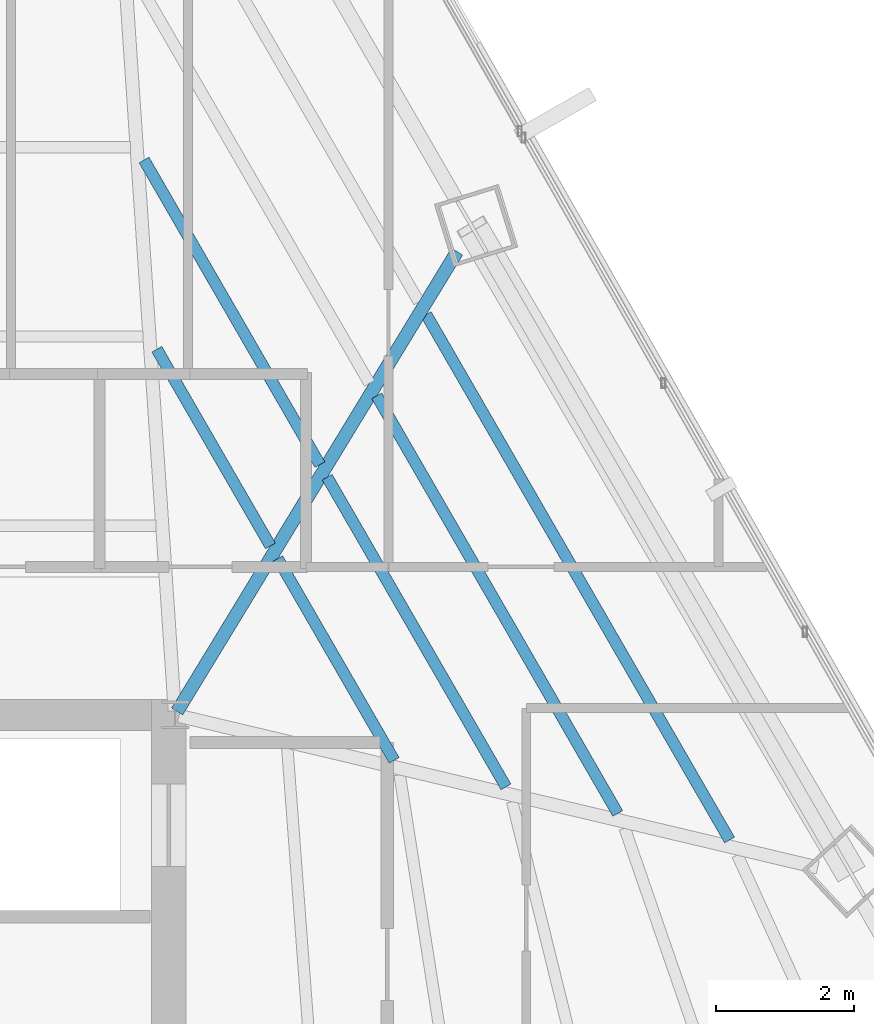
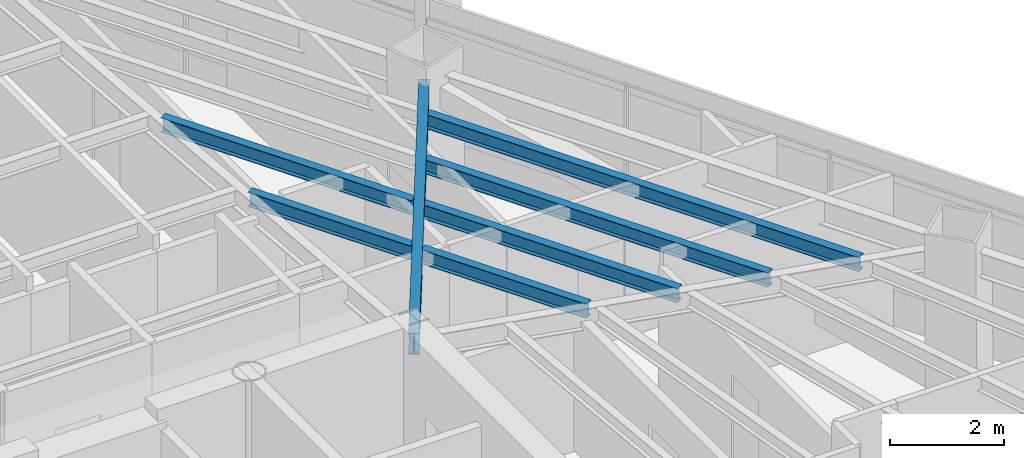
# One storey, part 24 of 40: 7 beams.
"""IFC4 building model written with IfcOpenShell, lengths in metres."""

from ifc_helpers import new_model, si_unit, direction, frame, origin, origin_2d, place, context, subcontext, project, spatial, i_section, extrude, source, transform, mapped, material, material_profile, profile_set, type_object, type_shapes, element, save


model = new_model("IFC4")

# Units and contexts
model_context = context("Model", 3, precision=1e-05, world=origin(), true_north=direction((0.0, 1.0)))
body_context = subcontext(model_context, "Body", "Model", "MODEL_VIEW")
ifc_project = project(units=[si_unit("LENGTHUNIT", "METRE"), si_unit("AREAUNIT", "SQUARE_METRE"), si_unit("VOLUMEUNIT", "CUBIC_METRE"), si_unit("PLANEANGLEUNIT", "RADIAN"), si_unit("MASSUNIT", "GRAM", prefix="KILO")], contexts=[model_context])

# Site, building, storey
site_placement = place(None, origin())
site = spatial("IfcSite", under=ifc_project, at=site_placement, CompositionType="ELEMENT")
building_placement = place(site_placement, origin())
building = spatial("IfcBuilding", under=site, at=building_placement, Name="Caelisora Broadcast Tower", CompositionType="ELEMENT")
storey_placement = place(building_placement, frame((0.0, 0.0, 146.39990234375)))
storey = spatial("IfcBuildingStorey", under=building, at=storey_placement, Name="L38", CompositionType="ELEMENT", Elevation=146.39990234375)

# Beams
ifc_material = material(Name="Steel Grade 350 (AS/NZS 3679.1)", Category="steel")
ifc_material_profile_1 = material_profile(ifc_material, i_section(OverallWidth=0.19091796875, OverallDepth=0.46044921875, WebThickness=0.010009765625, FlangeThickness=0.01611328125, at=origin_2d()), Name="Steel Grade 350 (AS/NZS 3679.1)")
ifc_profile_set_1 = profile_set([ifc_material_profile_1], Name="Steel Grade 350 (AS/NZS 3679.1)")
beam_type_1 = type_object("IfcBeamType", Name="PG06", PredefinedType="BEAM", material=ifc_profile_set_1)
shared_shape_1 = source(origin(), body_context, "Body", "SweptSolid", [
    extrude(i_section(OverallWidth=0.19091796875, OverallDepth=0.46044921875, WebThickness=0.010009765625, FlangeThickness=0.01611328125, at=origin_2d()), origin(), (0.0, 0.0, 1.0), 7.816650390625),
])
type_shapes(beam_type_1, [shared_shape_1])
beam_1_placement = place(storey_placement, frame((45.53125, 30.05126953125, 3.02001953125), z_axis=(0.519905330934, 0.85422388568, 0.0), x_axis=(-0.85422388568, 0.519905330934, 0.0)))
element("IfcBeam", 1, at=beam_1_placement, inside=storey, type_object=beam_type_1, Name="L38 beam PG06", PredefinedType="BEAM", context=body_context, shape_type="MappedRepresentation", body=[
    mapped(shared_shape_1, transform((0.0, 0.0, 0.0), scale=1.0)),
])
ifc_material_profile_2 = material_profile(ifc_material, i_section(OverallWidth=0.166015625, OverallDepth=0.30712890625, WebThickness=0.006591796875, FlangeThickness=0.01171875, at=origin_2d()), Name="Steel Grade 350 (AS/NZS 3679.1)")
ifc_profile_set_2 = profile_set([ifc_material_profile_2], Name="Steel Grade 350 (AS/NZS 3679.1)")
beam_type_2 = type_object("IfcBeamType", Name="SB03", PredefinedType="JOIST", material=ifc_profile_set_2)
shared_shape_2 = source(origin(), body_context, "Body", "SweptSolid", [
    extrude(i_section(OverallWidth=0.166015625, OverallDepth=0.30712890625, WebThickness=0.006591796875, FlangeThickness=0.01171875, at=origin_2d()), origin(), (0.0, 0.0, 1.0), 3.298583984375),
])
beam_2_placement = place(storey_placement, frame((46.885009765625, 32.4541015625, 3.096435546875), z_axis=(-0.500023563326, 0.866011799064, 0.0), x_axis=(-0.866011799064, -0.500023563326, 0.0)))
element("IfcBeam", 2, at=beam_2_placement, inside=storey, type_object=beam_type_2, Name="L38 beam SB03", PredefinedType="JOIST", context=body_context, shape_type="MappedRepresentation", body=[
    mapped(shared_shape_2, transform((0.0, 0.0, 0.0), scale=1.0)),
])
shared_shape_3 = source(origin(), body_context, "Body", "SweptSolid", [
    extrude(i_section(OverallWidth=0.166015625, OverallDepth=0.30712890625, WebThickness=0.006591796875, FlangeThickness=0.01171875, at=origin_2d()), origin(), (0.0, 0.0, 1.0), 5.107666015625),
])
beam_3_placement = place(storey_placement, frame((47.60400390625, 33.63525390625, 3.096435546875), z_axis=(-0.500020355681, 0.866013651107, 0.0), x_axis=(-0.866013651107, -0.500020355681, 0.0)))
element("IfcBeam", 3, at=beam_3_placement, inside=storey, type_object=beam_type_2, Name="L38 beam SB03", PredefinedType="JOIST", context=body_context, shape_type="MappedRepresentation", body=[
    mapped(shared_shape_3, transform((0.0, 0.0, 0.0), scale=1.0)),
])
shared_shape_4 = source(origin(), body_context, "Body", "SweptSolid", [
    extrude(i_section(OverallWidth=0.166015625, OverallDepth=0.30712890625, WebThickness=0.006591796875, FlangeThickness=0.01171875, at=origin_2d()), origin(), (0.0, 0.0, 1.0), 3.384033203125),
])
beam_4_placement = place(storey_placement, frame((48.682861328125, 29.340087890625, 3.096435546875), z_axis=(-0.500026370116, 0.866010178455, 0.0), x_axis=(-0.866010178455, -0.500026370116, 0.0)))
element("IfcBeam", 4, at=beam_4_placement, inside=storey, type_object=beam_type_2, Name="L38 beam SB03", PredefinedType="JOIST", context=body_context, shape_type="MappedRepresentation", body=[
    mapped(shared_shape_4, transform((0.0, 0.0, 0.0), scale=1.0)),
])
shared_shape_5 = source(origin(), body_context, "Body", "SweptSolid", [
    extrude(i_section(OverallWidth=0.166015625, OverallDepth=0.30712890625, WebThickness=0.006591796875, FlangeThickness=0.01171875, at=origin_2d()), origin(), (0.0, 0.0, 1.0), 5.193359375),
])
beam_5_placement = place(storey_placement, frame((50.306396484375, 28.95458984375, 3.096435546875), z_axis=(-0.500001880682, 0.866024317969, 0.0), x_axis=(-0.866024317969, -0.500001880682, 0.0)))
element("IfcBeam", 5, at=beam_5_placement, inside=storey, type_object=beam_type_2, Name="L38 beam SB03", PredefinedType="JOIST", context=body_context, shape_type="MappedRepresentation", body=[
    mapped(shared_shape_5, transform((0.0, 0.0, 0.0), scale=1.0)),
])
shared_shape_6 = source(origin(), body_context, "Body", "SweptSolid", [
    extrude(i_section(OverallWidth=0.166015625, OverallDepth=0.30712890625, WebThickness=0.006591796875, FlangeThickness=0.01171875, at=origin_2d()), origin(), (0.0, 0.0, 1.0), 7.002197265625),
])
beam_6_placement = place(storey_placement, frame((51.9296875, 28.569091796875, 3.096435546875), z_axis=(-0.499978992984, 0.866037531851, 0.0), x_axis=(-0.866037531851, -0.499978992984, 0.0)))
element("IfcBeam", 6, at=beam_6_placement, inside=storey, type_object=beam_type_2, Name="L38 beam SB03", PredefinedType="JOIST", context=body_context, shape_type="MappedRepresentation", body=[
    mapped(shared_shape_6, transform((0.0, 0.0, 0.0), scale=1.0)),
])
shared_shape_7 = source(origin(), body_context, "Body", "SweptSolid", [
    extrude(i_section(OverallWidth=0.166015625, OverallDepth=0.30712890625, WebThickness=0.006591796875, FlangeThickness=0.01171875, at=origin_2d()), origin(), (0.0, 0.0, 1.0), 8.81103515625),
])
type_shapes(beam_type_2, [shared_shape_2, shared_shape_3, shared_shape_4, shared_shape_5, shared_shape_6, shared_shape_7])
beam_7_placement = place(storey_placement, frame((53.55322265625, 28.183837890625, 3.096435546875), z_axis=(-0.499998282143, 0.866026395587, 0.0), x_axis=(-0.866026395587, -0.499998282143, 0.0)))
element("IfcBeam", 7, at=beam_7_placement, inside=storey, type_object=beam_type_2, Name="L38 beam SB03", PredefinedType="JOIST", context=body_context, shape_type="MappedRepresentation", body=[
    mapped(shared_shape_7, transform((0.0, 0.0, 0.0), scale=1.0)),
])

save(model, "model.ifc")
